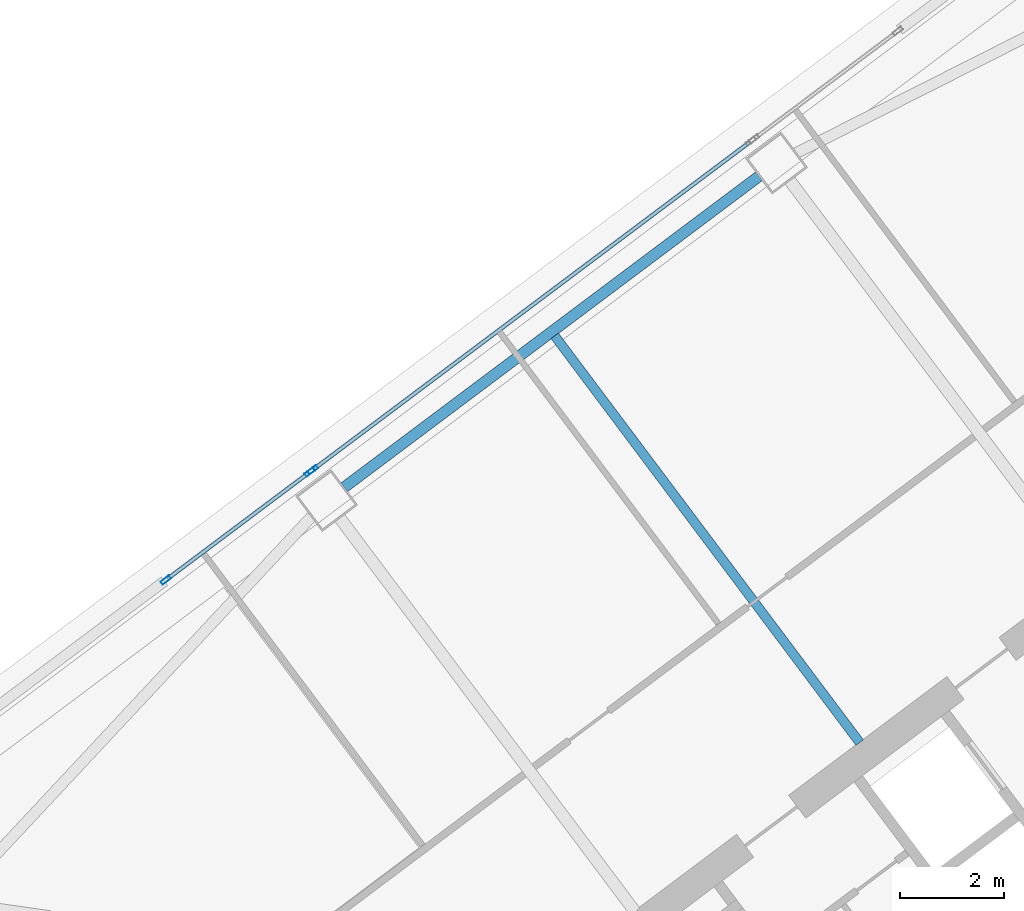
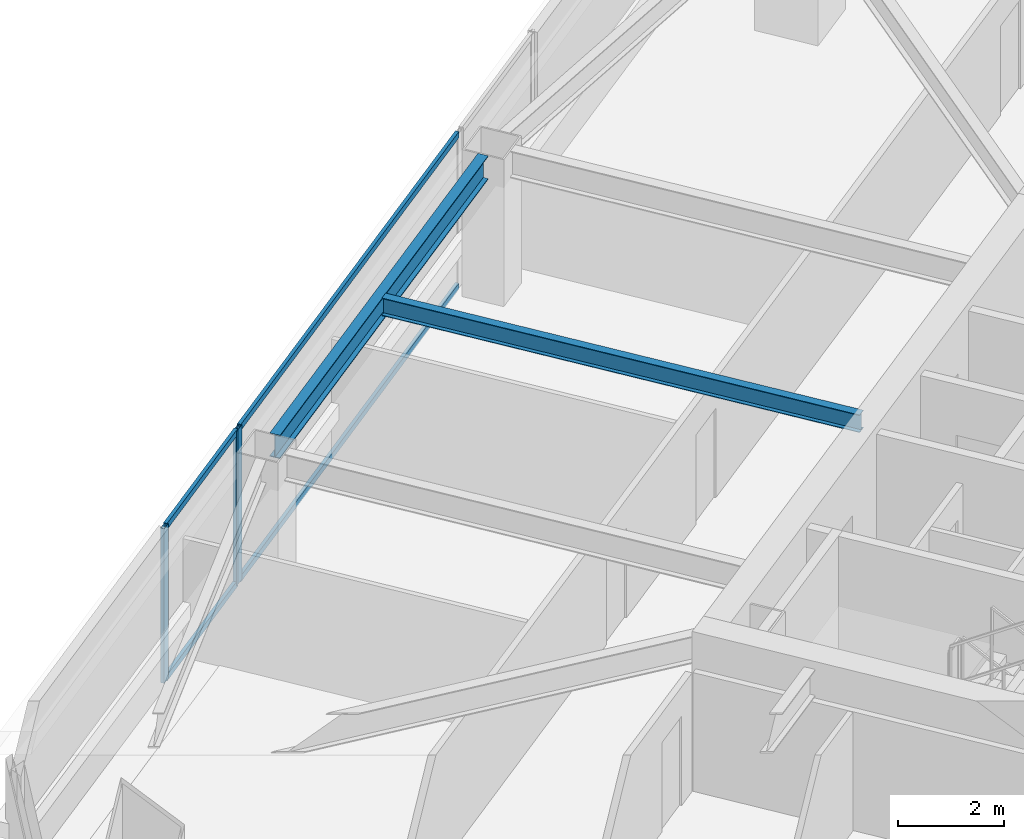
# One storey, part 25 of 41: 7 members, 2 beams, 2 elements without a shape of their own.
"""IFC4 building model written with IfcOpenShell, lengths in metres."""

from ifc_helpers import new_model, si_unit, direction, frame, origin, origin_2d, place, context, subcontext, project, spatial, hollow_rectangle, i_section, extrude, material, material_profile, profile_set, type_object, element, aggregate, save


model = new_model("IFC4")

# Units and contexts
model_context = context("Model", 3, precision=1e-05, world=origin(), true_north=direction((0.0, 1.0)))
body_context = subcontext(model_context, "Body", "Model", "MODEL_VIEW")
ifc_project = project(units=[si_unit("LENGTHUNIT", "METRE"), si_unit("AREAUNIT", "SQUARE_METRE"), si_unit("VOLUMEUNIT", "CUBIC_METRE"), si_unit("PLANEANGLEUNIT", "RADIAN"), si_unit("MASSUNIT", "GRAM", prefix="KILO")], contexts=[model_context])

# Site, building, storey
site_placement = place(None, origin())
site = spatial("IfcSite", under=ifc_project, at=site_placement, CompositionType="ELEMENT")
building_placement = place(site_placement, origin())
building = spatial("IfcBuilding", under=site, at=building_placement, Name="Tashvorn Skyway Center", CompositionType="ELEMENT")
storey_placement = place(building_placement, frame((0.0, 0.0, 146.35009765625)))
storey = spatial("IfcBuildingStorey", under=building, at=storey_placement, Name="L39", CompositionType="ELEMENT", Elevation=146.35009765625)

# Beams
ifc_material_1 = material(Name="Steel ASTM A992 Grade 50", Category="steel")
ifc_material_profile_1 = material_profile(ifc_material_1, i_section(OverallWidth=0.177978515625, OverallDepth=0.406005859375, WebThickness=0.0078125, FlangeThickness=0.0126953125, at=origin_2d()), Name="W16X40")
ifc_profile_set_1 = profile_set([ifc_material_profile_1], Name="Steel ASTM A992 Grade 50")
beam_type_1 = type_object("IfcBeamType", Name="BM-JOIST-W16X40", PredefinedType="JOIST", material=ifc_profile_set_1)
beam_1_placement = place(storey_placement, frame((109.325927734375, 38.23193359375, 3.1669921875), z_axis=(-0.599991997409, 0.800006001881, 0.0), x_axis=(-0.800006001881, -0.599991997409, 0.0)))
element("IfcBeam", 1, at=beam_1_placement, inside=storey, type_object=beam_type_1, Name="Tower 2 L39 Secondary Composite Joist JN", PredefinedType="JOIST", context=body_context, shape_type="SweptSolid", body=[
    extrude(i_section(OverallWidth=0.177978515625, OverallDepth=0.406005859375, WebThickness=0.0078125, FlangeThickness=0.0126953125, at=origin_2d()), origin(), (0.0, 0.0, 1.0), 9.762451171875),
])
ifc_material_profile_2 = material_profile(ifc_material_1, i_section(OverallWidth=0.2109375, OverallDepth=0.5390625, WebThickness=0.01171875, FlangeThickness=0.018798828125, at=origin_2d()), Name="W21X73")
ifc_profile_set_2 = profile_set([ifc_material_profile_2], Name="Steel ASTM A992 Grade 50")
beam_type_2 = type_object("IfcBeamType", Name="BM-SPANDREL-W21X73", PredefinedType="SPANDREL", material=ifc_profile_set_2)
beam_2_placement = place(storey_placement, frame((107.39404296875, 49.10791015625, 3.100341796875), z_axis=(-0.800008824351, -0.599988234018, 0.0), x_axis=(0.599988234018, -0.800008824351, 0.0)))
element("IfcBeam", 2, at=beam_2_placement, inside=storey, type_object=beam_type_2, Name="Tower 2 L39 Spandrel Beam 08", PredefinedType="SPANDREL", context=body_context, shape_type="SweptSolid", body=[
    extrude(i_section(OverallWidth=0.2109375, OverallDepth=0.5390625, WebThickness=0.01171875, FlangeThickness=0.018798828125, at=origin_2d()), origin(), (0.0, 0.0, 1.0), 9.9599609375),
])

# Curtain wall, members
ifc_material_2 = material(Name="Thermally broken bronze-anodized aluminium 6063-T6", Category="aluminium")
curtain_wall_type = type_object("IfcCurtainWallType", Name="CW-CW-Z3", PredefinedType="NOTDEFINED", material=ifc_material_2)
curtain_wall_1_placement = place(storey_placement, origin())
curtain_wall_1 = element("IfcCurtainWall", 3, at=curtain_wall_1_placement, inside=storey, type_object=curtain_wall_type, Name="Tower 2 L39 North Unitised Curtain Wall Glazing Group 1", PredefinedType="NOTDEFINED")
ifc_material_profile_3 = material_profile(ifc_material_2, hollow_rectangle(XDim=0.074951171875, YDim=0.199951171875, WallThickness=0.00439453125, at=origin_2d()), Name="ALU-MULL-75x200")
ifc_profile_set_3 = profile_set([ifc_material_profile_3], Name="Thermally broken bronze-anodized aluminium 6063-T6")
member_type_1 = type_object("IfcMemberType", Name="CWM-CW-Z3", PredefinedType="MULLION", material=ifc_profile_set_3)
member_1_placement = place(storey_placement, frame((96.004150390625, 41.353271484375, 0.0), z_axis=(0.0, 0.0, 1.0), x_axis=(-0.599995465948, 0.800003400519, 0.0)))
member_1 = element("IfcMember", 4, at=member_1_placement, type_object=member_type_1, Name="CW-Z3 mullion 1", PredefinedType="MULLION", context=body_context, shape_type="SweptSolid", body=[
    extrude(hollow_rectangle(XDim=0.074951171875, YDim=0.199951171875, WallThickness=0.00439453125, at=origin_2d()), origin(), (0.0, 0.0, 1.0), 3.5498046875),
])
member_2_placement = place(storey_placement, frame((98.767333984375, 43.425537109375, 0.0), z_axis=(0.0, 0.0, 1.0), x_axis=(-0.599995465948, 0.800003400519, 0.0)))
member_2 = element("IfcMember", 5, at=member_2_placement, type_object=member_type_1, Name="CW-Z3 mullion 2", PredefinedType="MULLION", context=body_context, shape_type="SweptSolid", body=[
    extrude(hollow_rectangle(XDim=0.074951171875, YDim=0.199951171875, WallThickness=0.00439453125, at=origin_2d()), origin(), (0.0, 0.0, 1.0), 3.5498046875),
])

# Curtain wall, member
curtain_wall_2_placement = place(storey_placement, origin())
curtain_wall_2 = element("IfcCurtainWall", 6, at=curtain_wall_2_placement, inside=storey, type_object=curtain_wall_type, Name="Tower 2 L39 North Unitised Curtain Wall Glazing Group 2", PredefinedType="NOTDEFINED")
member_3_placement = place(storey_placement, frame((98.827392578125, 43.470458984375, 0.0), z_axis=(0.0, 0.0, 1.0), x_axis=(-0.599996977339, 0.800002266987, 0.0)))
member_3 = element("IfcMember", 7, at=member_3_placement, type_object=member_type_1, Name="CW-Z3 mullion 1", PredefinedType="MULLION", context=body_context, shape_type="SweptSolid", body=[
    extrude(hollow_rectangle(XDim=0.074951171875, YDim=0.199951171875, WallThickness=0.00439453125, at=origin_2d()), origin(), (0.0, 0.0, 1.0), 3.5498046875),
])

# Member
ifc_material_profile_4 = material_profile(ifc_material_2, hollow_rectangle(XDim=0.074951171875, YDim=0.139892578125, WallThickness=0.004150390625, at=origin_2d()), Name="ALU-TRAN-75x140")
ifc_profile_set_4 = profile_set([ifc_material_profile_4], Name="Thermally broken bronze-anodized aluminium 6063-T6")
member_type_2 = type_object("IfcMemberType", Name="CWT-CW-Z3", PredefinedType="USERDEFINED", material=ifc_profile_set_4)
member_4_placement = place(storey_placement, frame((96.0341796875, 41.375732421875, 0.037353515625), z_axis=(0.8, 0.6, 0.0), x_axis=(-0.6, 0.8, 0.0)))
member_4 = element("IfcMember", 8, at=member_4_placement, type_object=member_type_2, Name="CW-Z3 transom 1.1", ObjectType="TRANSOM", PredefinedType="USERDEFINED", context=body_context, shape_type="SweptSolid", body=[
    extrude(hollow_rectangle(XDim=0.074951171875, YDim=0.139892578125, WallThickness=0.004150390625, at=origin_2d()), origin(), (0.0, 0.0, 1.0), 3.37890625),
])

member_5_placement = place(storey_placement, frame((96.0341796875, 41.375732421875, 3.512451171875), z_axis=(0.8, 0.6, 0.0), x_axis=(-0.6, 0.8, 0.0)))
member_5 = element("IfcMember", 9, at=member_5_placement, type_object=member_type_2, Name="CW-Z3 transom 1.2", ObjectType="TRANSOM", PredefinedType="USERDEFINED", context=body_context, shape_type="SweptSolid", body=[
    extrude(hollow_rectangle(XDim=0.074951171875, YDim=0.139892578125, WallThickness=0.004150390625, at=origin_2d()), origin(), (0.0, 0.0, 1.0), 3.37890625),
])

aggregate(curtain_wall_1, [member_1, member_2, member_4, member_5])

member_6_placement = place(storey_placement, frame((98.857421875, 43.492919921875, 0.037353515625), z_axis=(0.800002807101, 0.599996257181, 0.0), x_axis=(-0.599996257181, 0.800002807101, 0.0)))
member_6 = element("IfcMember", 10, at=member_6_placement, type_object=member_type_2, Name="CW-Z3 transom 1.1", ObjectType="TRANSOM", PredefinedType="USERDEFINED", context=body_context, shape_type="SweptSolid", body=[
    extrude(hollow_rectangle(XDim=0.074951171875, YDim=0.139892578125, WallThickness=0.004150390625, at=origin_2d()), origin(), (0.0, 0.0, 1.0), 10.436767578125),
])

member_7_placement = place(storey_placement, frame((98.857421875, 43.492919921875, 3.512451171875), z_axis=(0.800002807101, 0.599996257181, 0.0), x_axis=(-0.599996257181, 0.800002807101, 0.0)))
member_7 = element("IfcMember", 11, at=member_7_placement, type_object=member_type_2, Name="CW-Z3 transom 1.2", ObjectType="TRANSOM", PredefinedType="USERDEFINED", context=body_context, shape_type="SweptSolid", body=[
    extrude(hollow_rectangle(XDim=0.074951171875, YDim=0.139892578125, WallThickness=0.004150390625, at=origin_2d()), origin(), (0.0, 0.0, 1.0), 10.436767578125),
])

aggregate(curtain_wall_2, [member_3, member_6, member_7])

save(model, "model.ifc")
